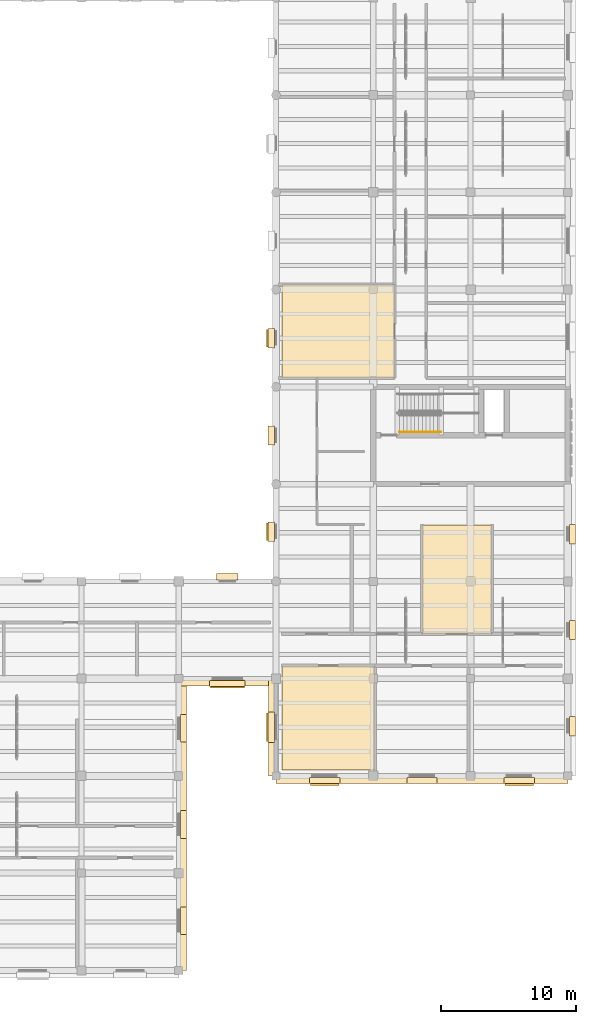
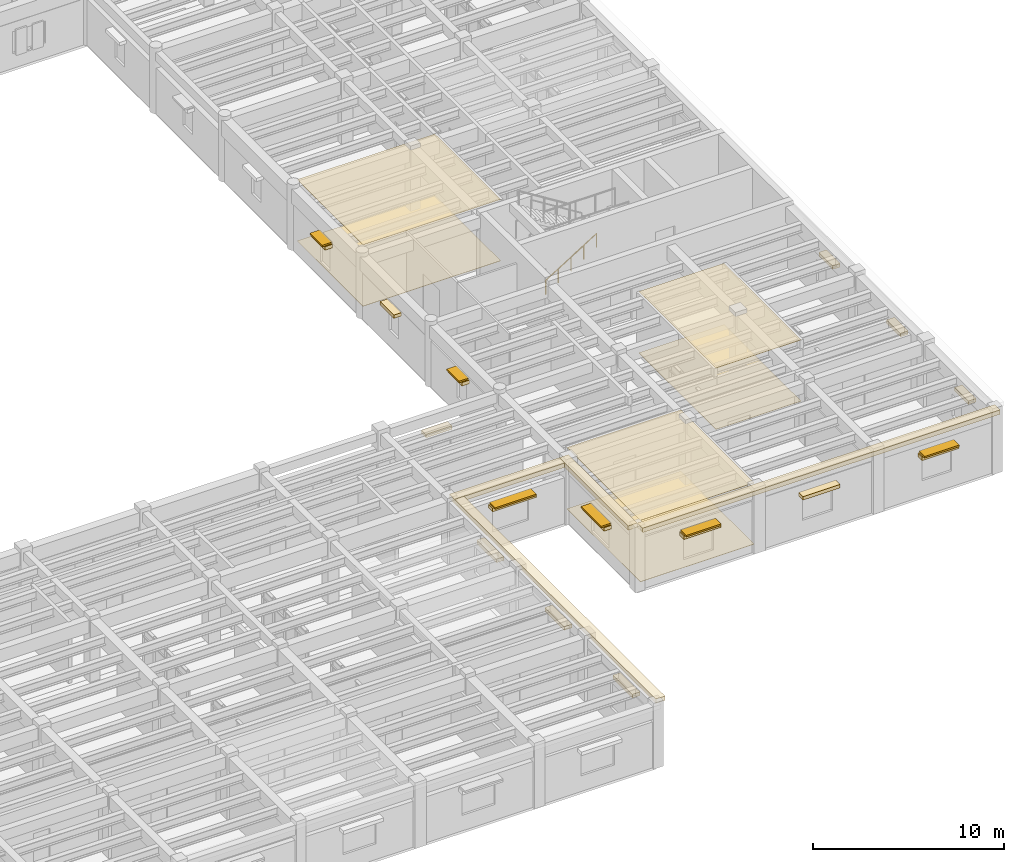
# One storey, part 64 of 66: 25 coverings, 6 shading devices, 1 railing.
"""IFC4 building model written with IfcOpenShell, lengths in metres."""

from ifc_helpers import new_model, si_unit, direction, frame, origin, origin_2d, place, context, subcontext, project, spatial, polyline, rectangle, circle, outline, extrude, material, layer, layer_set, type_object, element, save


model = new_model("IFC4")

# Units and contexts
model_context = context("Model", 3, precision=1e-05, world=origin(), true_north=direction((0.0, 1.0)))
body_context = subcontext(model_context, "Body", "Model", "MODEL_VIEW")
ifc_project = project(units=[si_unit("LENGTHUNIT", "METRE"), si_unit("AREAUNIT", "SQUARE_METRE"), si_unit("VOLUMEUNIT", "CUBIC_METRE"), si_unit("PLANEANGLEUNIT", "RADIAN"), si_unit("MASSUNIT", "GRAM", prefix="KILO")], contexts=[model_context])

# Site, building, storey
site_placement = place(None, origin())
site = spatial("IfcSite", under=ifc_project, at=site_placement, CompositionType="ELEMENT")
building_placement = place(site_placement, origin())
building = spatial("IfcBuilding", under=site, at=building_placement, Name="Mithqara Police Headquarters", CompositionType="ELEMENT")
storey_placement = place(building_placement, frame((0.0, 0.0, 9.60009765625)))
storey = spatial("IfcBuildingStorey", under=building, at=storey_placement, Name="L02", CompositionType="ELEMENT", Elevation=9.60009765625)

# Coverings
ifc_material_1 = material(Name="Acoustic mineral-fibre ceiling tile", Category="gypsum")
ifc_layer_1 = layer(ifc_material_1, 0.02490234375, Name="Acoustic mineral-fibre ceiling tile")
ifc_layer_set_1 = layer_set([ifc_layer_1], Name="Acoustic mineral-fibre ceiling tile")
covering_type_1 = type_object("IfcCoveringType", Name="ACOUSTIC CEILING TILE", PredefinedType="CEILING", material=ifc_layer_set_1)
covering_1_placement = place(storey_placement, frame((0.0, 0.0, 3.914794921875)))
element("IfcCovering", 1, at=covering_1_placement, inside=storey, type_object=covering_type_1, Name="Forensic Laboratory Acoustic Ceiling", PredefinedType="CEILING", context=body_context, shape_type="SweptSolid", body=[
    extrude(outline(polyline([(145.0400390625, 50.469970703125), (153.360107421875, 50.469970703125), (153.360107421875, 57.363037109375), (145.0400390625, 57.363037109375), (145.0400390625, 50.469970703125)])), origin(), (0.0, 0.0, 1.0), 0.025146484375),
])
covering_2_placement = place(storey_placement, frame((0.0, 0.0, 3.914794921875)))
element("IfcCovering", 2, at=covering_2_placement, inside=storey, type_object=covering_type_1, Name="Forensic Laboratory Acoustic Ceiling", PredefinedType="CEILING", context=body_context, shape_type="SweptSolid", body=[
    extrude(outline(polyline([(145.0400390625, 21.43994140625), (151.919921875, 21.43994140625), (151.919921875, 29.1298828125), (145.0400390625, 29.1298828125), (145.0400390625, 21.43994140625)])), origin(), (0.0, 0.0, 1.0), 0.025146484375),
])
covering_3_placement = place(storey_placement, frame((0.0, 0.0, 3.914794921875)))
element("IfcCovering", 3, at=covering_3_placement, inside=storey, type_object=covering_type_1, Name="Ballistics Laboratory Acoustic Ceiling", PredefinedType="CEILING", context=body_context, shape_type="SweptSolid", body=[
    extrude(outline(polyline([(155.419921875, 31.510009765625), (160.570068359375, 31.510009765625), (160.570068359375, 39.580078125), (155.419921875, 39.580078125), (155.419921875, 31.510009765625)])), origin(), (0.0, 0.0, 1.0), 0.025146484375),
])
ifc_material_2 = material(Name="Limestone ashlar masonry, 45 MPa", Category="masonry")
ifc_layer_2 = layer(ifc_material_2, 0.320068359375, Name="Limestone ashlar masonry, 45 MPa")
ifc_layer_set_2 = layer_set([ifc_layer_2], Name="Limestone ashlar masonry, 45 MPa")
covering_type_2 = type_object("IfcCoveringType", Name="CORNICE LIMESTONE", PredefinedType="CLADDING", material=ifc_layer_set_2)
covering_4_placement = place(storey_placement, frame((137.679931640625, 17.39990234375, 3.919921875), z_axis=(0.0, 0.0, 1.0), x_axis=(0.0, 1.0, 0.0)))
element("IfcCovering", 4, at=covering_4_placement, inside=storey, type_object=covering_type_2, Name="L02 Projecting Ottoman Limestone Eaves Cornice 3", PredefinedType="CLADDING", context=body_context, shape_type="SweptSolid", body=[
    extrude(rectangle(XDim=21.60009765625, YDim=0.56005859375, at=origin_2d()), origin(), (0.0, 0.0, 1.0), 0.280029296875),
])
for number, where, z_axis, x_axis, name in (
    (5, (141.0, 27.919921875, 3.919921875), (0.0, 0.0, 1.0), (1.0, 0.0, 0.0), "L02 Projecting Ottoman Limestone Eaves Cornice 4"),
    (6, (144.320068359375, 24.60009765625, 3.919921875), (0.0, 0.0, 1.0), (0.0, 1.0, 0.0), "L02 Projecting Ottoman Limestone Eaves Cornice 5"),
):
    element("IfcCovering", number, at=place(storey_placement, frame(where, z_axis=z_axis, x_axis=x_axis)), inside=storey, type_object=covering_type_2, Name=name, PredefinedType="CLADDING", context=body_context, shape_type="SweptSolid", body=[
        extrude(rectangle(XDim=7.199951171875, YDim=0.56005859375, at=origin_2d()), origin(), (0.0, 0.0, 1.0), 0.280029296875),
    ])
covering_5_placement = place(storey_placement, frame((155.39990234375, 20.719970703125, 3.919921875), z_axis=(0.0, 0.0, 1.0), x_axis=(1.0, 0.0, 0.0)))
element("IfcCovering", 7, at=covering_5_placement, inside=storey, type_object=covering_type_2, Name="L02 Projecting Ottoman Limestone Eaves Cornice 6", PredefinedType="CLADDING", context=body_context, shape_type="SweptSolid", body=[
    extrude(rectangle(XDim=21.60009765625, YDim=0.56005859375, at=origin_2d()), origin(), (0.0, 0.0, 1.0), 0.280029296875),
])

# Railing
ifc_material_3 = material(Name="Steel S355JR", Category="steel")
railing_type = type_object("IfcRailingType", Name="HANDRAIL 920", PredefinedType="HANDRAIL", material=ifc_material_3)
railing_placement = place(storey_placement, frame((153.75, 46.449951171875, 0.1748046875)))
element("IfcRailing", 8, at=railing_placement, inside=storey, type_object=railing_type, Name="L02 ST-04 stair handrail 1", PredefinedType="HANDRAIL", context=body_context, shape_type="SweptSolid", body=[
    extrude(circle(Radius=0.02392578125, at=origin_2d()), frame((0.0, 0.0, 0.8759765625), z_axis=(0.847998304005, 0.0, 0.529998940003), x_axis=(0.0, 1.0, 0.0)), (0.0, 0.0, 1.0), 3.632080078125),
    extrude(circle(Radius=0.02099609375, at=origin_2d()), origin(), (0.0, 0.0, 1.0), 0.851806640625),
    extrude(circle(Radius=0.02099609375, at=origin_2d()), frame((0.77001953125, 0.0, 0.481201171875)), (0.0, 0.0, 1.0), 0.851806640625),
    extrude(circle(Radius=0.02099609375, at=origin_2d()), frame((1.5400390625, 0.0, 0.96240234375)), (0.0, 0.0, 1.0), 0.851806640625),
    extrude(circle(Radius=0.02099609375, at=origin_2d()), frame((2.31005859375, 0.0, 1.44384765625)), (0.0, 0.0, 1.0), 0.851806640625),
    extrude(circle(Radius=0.02099609375, at=origin_2d()), frame((3.080078125, 0.0, 1.925048828125)), (0.0, 0.0, 1.0), 0.851806640625),
])

# Shading devices
ifc_material_4 = material(Name="Bronze anodised aluminium 6063-T6", Category="aluminium")
shading_device_type = type_object("IfcShadingDeviceType", Name="SOLAR LOUVRE BRONZE", PredefinedType="JALOUSIE", material=ifc_material_4)
shading_device_placement = place(storey_placement, frame((141.0, 27.7900390625, 2.829833984375), z_axis=(0.0, 0.0, 1.0), x_axis=(1.0, 0.0, 0.0)))
element("IfcShadingDevice", 9, at=shading_device_placement, inside=storey, type_object=shading_device_type, Name="L02 Window Solar Louvre Hood 4.1", PredefinedType="JALOUSIE", context=body_context, shape_type="SweptSolid", body=[
    extrude(rectangle(XDim=2.5, YDim=0.60009765625, at=origin_2d()), origin(), (0.0, 0.0, 1.0), 0.10009765625),
])
for number, where, z_axis, x_axis, name in (
    (10, (144.18994140625, 24.60009765625, 2.58984375), (0.0, 0.0, 1.0), (0.0, 1.0, 0.0), "L02 Window Solar Louvre Hood 5.1"),
    (11, (148.199951171875, 20.590087890625, 2.83984375), (0.0, 0.0, 1.0), (1.0, 0.0, 0.0), "L02 Window Solar Louvre Hood 6.1"),
    (12, (162.60009765625, 20.590087890625, 2.83984375), (0.0, 0.0, 1.0), (1.0, 0.0, 0.0), "L02 Window Solar Louvre Hood 6.3"),
):
    element("IfcShadingDevice", number, at=place(storey_placement, frame(where, z_axis=z_axis, x_axis=x_axis)), inside=storey, type_object=shading_device_type, Name=name, PredefinedType="JALOUSIE", context=body_context, shape_type="SweptSolid", body=[
        extrude(rectangle(XDim=2.10009765625, YDim=0.60009765625, at=origin_2d()), origin(), (0.0, 0.0, 1.0), 0.10009765625),
    ])
for number, where, z_axis, x_axis, name in (
    (13, (144.18994140625, 39.080078125, 2.829833984375), (0.0, 0.0, 1.0), (0.0, 1.0, 0.0), "L02 Window Solar Louvre Hood 5.1"),
    (14, (144.18994140625, 53.39990234375, 2.829833984375), (0.0, 0.0, 1.0), (0.0, 1.0, 0.0), "L02 Window Solar Louvre Hood 5.3"),
):
    element("IfcShadingDevice", number, at=place(storey_placement, frame(where, z_axis=z_axis, x_axis=x_axis)), inside=storey, type_object=shading_device_type, Name=name, PredefinedType="JALOUSIE", context=body_context, shape_type="SweptSolid", body=[
        extrude(rectangle(XDim=1.300048828125, YDim=0.60009765625, at=origin_2d()), origin(), (0.0, 0.0, 1.0), 0.10009765625),
    ])

# Coverings
ifc_material_5 = material(Name="Polished limestone terrazzo flooring", Category="masonry")
ifc_layer_3 = layer(ifc_material_5, 0.02001953125, Name="Polished limestone terrazzo flooring")
ifc_layer_set_3 = layer_set([ifc_layer_3], Name="Polished limestone terrazzo flooring")
covering_type_3 = type_object("IfcCoveringType", Name="TERRAZZO FLOOR FINISH", PredefinedType="FLOORING", material=ifc_layer_set_3)
covering_6_placement = place(storey_placement, origin())
element("IfcCovering", 15, at=covering_6_placement, inside=storey, type_object=covering_type_3, Name="Forensic Laboratory Terrazzo Floor Finish", PredefinedType="FLOORING", context=body_context, shape_type="SweptSolid", body=[
    extrude(outline(polyline([(145.0400390625, 50.469970703125), (153.360107421875, 50.469970703125), (153.360107421875, 57.363037109375), (145.0400390625, 57.363037109375), (145.0400390625, 50.469970703125)])), origin(), (0.0, 0.0, 1.0), 0.02001953125),
])
covering_7_placement = place(storey_placement, origin())
element("IfcCovering", 16, at=covering_7_placement, inside=storey, type_object=covering_type_3, Name="Forensic Laboratory Terrazzo Floor Finish", PredefinedType="FLOORING", context=body_context, shape_type="SweptSolid", body=[
    extrude(outline(polyline([(145.0400390625, 21.43994140625), (151.919921875, 21.43994140625), (151.919921875, 29.1298828125), (145.0400390625, 29.1298828125), (145.0400390625, 21.43994140625)])), origin(), (0.0, 0.0, 1.0), 0.02001953125),
])
covering_8_placement = place(storey_placement, origin())
element("IfcCovering", 17, at=covering_8_placement, inside=storey, type_object=covering_type_3, Name="Ballistics Laboratory Terrazzo Floor Finish", PredefinedType="FLOORING", context=body_context, shape_type="SweptSolid", body=[
    extrude(outline(polyline([(155.419921875, 31.510009765625), (160.570068359375, 31.510009765625), (160.570068359375, 39.580078125), (155.419921875, 39.580078125), (155.419921875, 31.510009765625)])), origin(), (0.0, 0.0, 1.0), 0.02001953125),
])
ifc_layer_4 = layer(ifc_material_2, 0.239990234375, Name="Limestone ashlar masonry, 45 MPa")
ifc_layer_set_4 = layer_set([ifc_layer_4], Name="Limestone ashlar masonry, 45 MPa")
covering_type_4 = type_object("IfcCoveringType", Name="WINDOW HOOD LIMESTONE", PredefinedType="CLADDING", material=ifc_layer_set_4)
for number, where, z_axis, x_axis, name in (
    (18, (137.75, 10.280029296875, 2.6201171875), (0.0, 0.0, 1.0), (0.0, 1.0, 0.0), "L02 Limestone Window Architrave Hood 3.1"),
    (19, (137.75, 17.39990234375, 2.6201171875), (0.0, 0.0, 1.0), (0.0, 1.0, 0.0), "L02 Limestone Window Architrave Hood 3.2"),
    (20, (137.75, 24.52001953125, 2.6201171875), (0.0, 0.0, 1.0), (0.0, 1.0, 0.0), "L02 Limestone Window Architrave Hood 3.3"),
):
    element("IfcCovering", number, at=place(storey_placement, frame(where, z_axis=z_axis, x_axis=x_axis)), inside=storey, type_object=covering_type_4, Name=name, PredefinedType="CLADDING", context=body_context, shape_type="SweptSolid", body=[
        extrude(rectangle(XDim=2.0400390625, YDim=0.4599609375, at=origin_2d()), origin(), (0.0, 0.0, 1.0), 0.219970703125),
    ])
covering_9_placement = place(storey_placement, frame((141.0, 27.85009765625, 2.6201171875), z_axis=(0.0, 0.0, 1.0), x_axis=(1.0, 0.0, 0.0)))
element("IfcCovering", 21, at=covering_9_placement, inside=storey, type_object=covering_type_4, Name="L02 Limestone Window Architrave Hood 4.1", PredefinedType="CLADDING", context=body_context, shape_type="SweptSolid", body=[
    extrude(rectangle(XDim=2.639892578125, YDim=0.4599609375, at=origin_2d()), origin(), (0.0, 0.0, 1.0), 0.219970703125),
])
for number, where, z_axis, x_axis, name in (
    (22, (144.25, 24.60009765625, 2.3701171875), (0.0, 0.0, 1.0), (0.0, 1.0, 0.0), "L02 Limestone Window Architrave Hood 5.1"),
    (23, (148.199951171875, 20.64990234375, 2.6201171875), (0.0, 0.0, 1.0), (1.0, 0.0, 0.0), "L02 Limestone Window Architrave Hood 6.1"),
    (24, (155.39990234375, 20.64990234375, 2.6201171875), (0.0, 0.0, 1.0), (1.0, 0.0, 0.0), "L02 Limestone Window Architrave Hood 6.2"),
    (25, (162.60009765625, 20.64990234375, 2.6201171875), (0.0, 0.0, 1.0), (1.0, 0.0, 0.0), "L02 Limestone Window Architrave Hood 6.3"),
):
    element("IfcCovering", number, at=place(storey_placement, frame(where, z_axis=z_axis, x_axis=x_axis)), inside=storey, type_object=covering_type_4, Name=name, PredefinedType="CLADDING", context=body_context, shape_type="SweptSolid", body=[
        extrude(rectangle(XDim=2.239990234375, YDim=0.4599609375, at=origin_2d()), origin(), (0.0, 0.0, 1.0), 0.219970703125),
    ])
for number, where, z_axis, x_axis, name in (
    (26, (166.550048828125, 24.679931640625, 2.3701171875), (0.0, 0.0, 1.0), (0.0, 1.0, 0.0), "L02 Limestone Window Architrave Hood 7.1"),
    (27, (166.550048828125, 31.800048828125, 2.3701171875), (0.0, 0.0, 1.0), (0.0, 1.0, 0.0), "L02 Limestone Window Architrave Hood 7.2"),
    (28, (166.550048828125, 38.905029296875, 2.3701171875), (0.0, 0.0, 1.0), (0.0, 1.0, 0.0), "L02 Limestone Window Architrave Hood 7.3"),
    (29, (144.25, 39.080078125, 2.6201171875), (0.0, 0.0, 1.0), (0.0, 1.0, 0.0), "L02 Limestone Window Architrave Hood 5.1"),
    (30, (144.25, 46.199951171875, 2.6201171875), (0.0, 0.0, 1.0), (0.0, 1.0, 0.0), "L02 Limestone Window Architrave Hood 5.2"),
    (31, (144.25, 53.39990234375, 2.6201171875), (0.0, 0.0, 1.0), (0.0, 1.0, 0.0), "L02 Limestone Window Architrave Hood 5.3"),
):
    element("IfcCovering", number, at=place(storey_placement, frame(where, z_axis=z_axis, x_axis=x_axis)), inside=storey, type_object=covering_type_4, Name=name, PredefinedType="CLADDING", context=body_context, shape_type="SweptSolid", body=[
        extrude(rectangle(XDim=1.43994140625, YDim=0.4599609375, at=origin_2d()), origin(), (0.0, 0.0, 1.0), 0.219970703125),
    ])
covering_10_placement = place(storey_placement, frame((141.0, 35.75, 2.3701171875), z_axis=(0.0, 0.0, 1.0), x_axis=(1.0, 0.0, 0.0)))
element("IfcCovering", 32, at=covering_10_placement, inside=storey, type_object=covering_type_4, Name="L02 Limestone Window Architrave Hood 6.7", PredefinedType="CLADDING", context=body_context, shape_type="SweptSolid", body=[
    extrude(rectangle(XDim=1.590087890625, YDim=0.4599609375, at=origin_2d()), origin(), (0.0, 0.0, 1.0), 0.219970703125),
])

save(model, "model.ifc")
